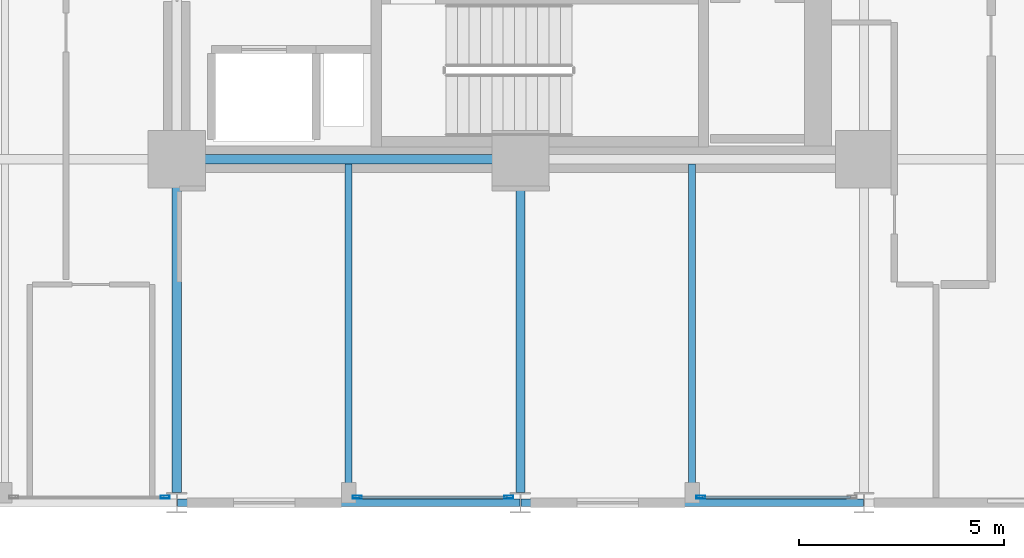
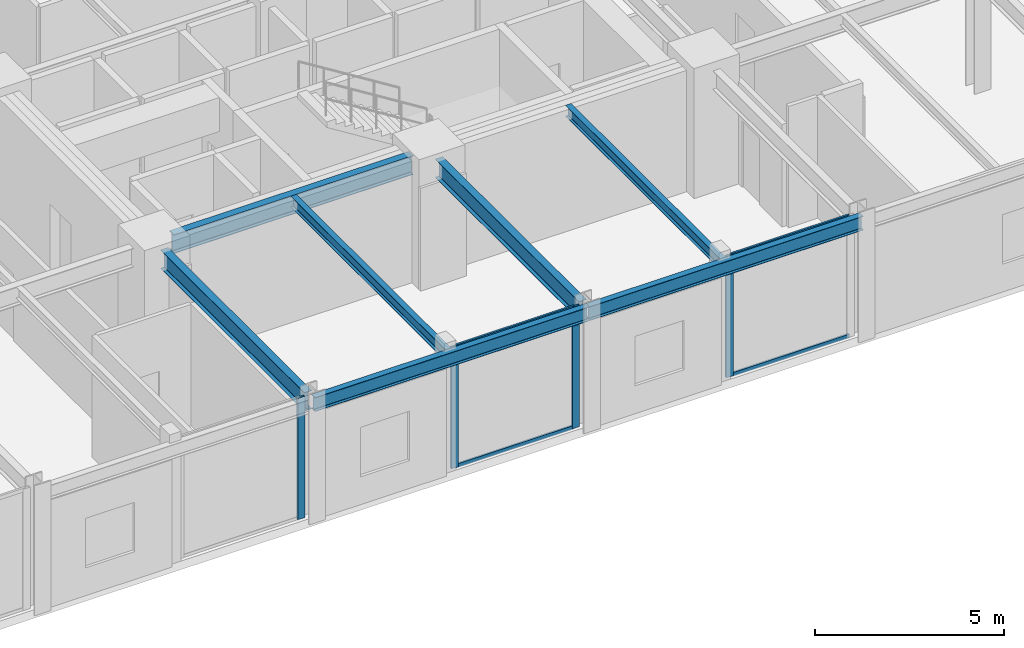
# One storey, part 4 of 24: 8 members, 7 beams, 3 elements without a shape of their own.
"""IFC4 building model written with IfcOpenShell, lengths in metres."""

from ifc_helpers import new_model, si_unit, direction, frame, origin, origin_2d, place, context, subcontext, project, spatial, hollow_rectangle, i_section, extrude, material, layer, layer_set, material_profile, profile_set, type_object, element, aggregate, save


model = new_model("IFC4")

# Units and contexts
model_context = context("Model", 3, precision=1e-05, world=origin(), true_north=direction((0.0, 1.0)))
body_context = subcontext(model_context, "Body", "Model", "MODEL_VIEW")
ifc_project = project(units=[si_unit("LENGTHUNIT", "METRE"), si_unit("AREAUNIT", "SQUARE_METRE"), si_unit("VOLUMEUNIT", "CUBIC_METRE"), si_unit("PLANEANGLEUNIT", "RADIAN"), si_unit("MASSUNIT", "GRAM", prefix="KILO")], contexts=[model_context])

# Site, building, storey
site_placement = place(None, origin())
site = spatial("IfcSite", under=ifc_project, at=site_placement, CompositionType="ELEMENT")
building_placement = place(site_placement, origin())
building = spatial("IfcBuilding", under=site, at=building_placement, Name="Nerrivon Quay Data Exchange", CompositionType="ELEMENT")
storey_placement = place(building_placement, frame((0.0, 0.0, 33.199951171875)))
storey = spatial("IfcBuildingStorey", under=building, at=storey_placement, Name="L07", CompositionType="ELEMENT", Elevation=33.199951171875)

# Beams
ifc_material_1 = material(Name="Steel Grade 350", Category="steel")
ifc_material_profile_1 = material_profile(ifc_material_1, i_section(OverallWidth=0.22900390625, OverallDepth=0.612060546875, WebThickness=0.011962890625, FlangeThickness=0.01953125, FilletRadius=0.013916015625, at=origin_2d()), Name="610UB125")
ifc_profile_set_1 = profile_set([ifc_material_profile_1], Name="Steel Grade 350")
beam_type_1 = type_object("IfcBeamType", Name="BM-G1-610UB125", PredefinedType="BEAM", material=ifc_profile_set_1)
beam_1_placement = place(storey_placement, frame((17.340087890625, 8.39990234375, 3.619140625), z_axis=(1.0, 0.0, 0.0), x_axis=(0.0, 1.0, 0.0)))
element("IfcBeam", 1, at=beam_1_placement, inside=storey, type_object=beam_type_1, Name="L07 EW Girder Y=8.4 (16.8..25.2)", PredefinedType="BEAM", context=body_context, shape_type="SweptSolid", body=[
    extrude(i_section(OverallWidth=0.22900390625, OverallDepth=0.612060546875, WebThickness=0.011962890625, FlangeThickness=0.01953125, FilletRadius=0.013916015625, at=origin_2d()), origin(), (0.0, 0.0, 1.0), 7.31982421875),
])
ifc_material_profile_2 = material_profile(ifc_material_1, i_section(OverallWidth=0.22802734375, OverallDepth=0.60205078125, WebThickness=0.010498046875, FlangeThickness=0.014892578125, FilletRadius=0.013916015625, at=origin_2d()), Name="610UB101")
ifc_profile_set_2 = profile_set([ifc_material_profile_2], Name="Steel Grade 350")
beam_type_2 = type_object("IfcBeamType", Name="BM-G2-610UB101", PredefinedType="BEAM", material=ifc_profile_set_2)
for number, where, z_axis, x_axis, name in (
    (2, (16.800048828125, 0.25, 3.6240234375), (0.0, 1.0, 0.0), (-1.0, 0.0, 0.0), "L07 NS Girder X=16.8 (0.0..8.4)"),
    (3, (25.199951171875, 0.25, 3.6240234375), (0.0, 1.0, 0.0), (-1.0, 0.0, 0.0), "L07 NS Girder X=25.2 (0.0..8.4)"),
):
    element("IfcBeam", number, at=place(storey_placement, frame(where, z_axis=z_axis, x_axis=x_axis)), inside=storey, type_object=beam_type_2, Name=name, PredefinedType="BEAM", context=body_context, shape_type="SweptSolid", body=[
        extrude(i_section(OverallWidth=0.22802734375, OverallDepth=0.60205078125, WebThickness=0.010498046875, FlangeThickness=0.014892578125, FilletRadius=0.013916015625, at=origin_2d()), origin(), (0.0, 0.0, 1.0), 7.610107421875),
    ])
ifc_material_profile_3 = material_profile(ifc_material_1, i_section(OverallWidth=0.172119140625, OverallDepth=0.35888671875, WebThickness=0.008056640625, FlangeThickness=0.012939453125, FilletRadius=0.011474609375, at=origin_2d()), Name="360UB56.7")
ifc_profile_set_3 = profile_set([ifc_material_profile_3], Name="Steel Grade 350")
beam_type_3 = type_object("IfcBeamType", Name="BM-J3-360UB57", PredefinedType="JOIST", material=ifc_profile_set_3)
for number, where, z_axis, x_axis, name in (
    (4, (21.0, 0.094970703125, 3.74560546875), (0.0, 1.0, 0.0), (-1.0, 0.0, 0.0), "L07 Secondary Joist X=21.0 (0.0..8.4)"),
    (5, (29.39990234375, 0.094970703125, 3.74560546875), (0.0, 1.0, 0.0), (-1.0, 0.0, 0.0), "L07 Secondary Joist X=29.4 (0.0..8.4)"),
):
    element("IfcBeam", number, at=place(storey_placement, frame(where, z_axis=z_axis, x_axis=x_axis)), inside=storey, type_object=beam_type_3, Name=name, PredefinedType="JOIST", context=body_context, shape_type="SweptSolid", body=[
        extrude(i_section(OverallWidth=0.172119140625, OverallDepth=0.35888671875, WebThickness=0.008056640625, FlangeThickness=0.012939453125, FilletRadius=0.011474609375, at=origin_2d()), origin(), (0.0, 0.0, 1.0), 8.1904296875),
    ])
ifc_material_profile_4 = material_profile(ifc_material_1, i_section(OverallWidth=0.18994140625, OverallDepth=0.4541015625, WebThickness=0.008544921875, FlangeThickness=0.0126953125, FilletRadius=0.011474609375, at=origin_2d()), Name="460UB67.1")
ifc_profile_set_4 = profile_set([ifc_material_profile_4], Name="Steel Grade 350")
beam_type_4 = type_object("IfcBeamType", Name="BM-SP1-460UB67", PredefinedType="SPANDREL", material=ifc_profile_set_4)
beam_2_placement = place(storey_placement, frame((16.81396484375, 0.0, 3.697998046875), z_axis=(1.0, 0.0, 0.0), x_axis=(0.0, 1.0, 0.0)))
element("IfcBeam", 6, at=beam_2_placement, inside=storey, type_object=beam_type_4, Name="L07 EW Girder Y=0.0 (16.8..25.2)", PredefinedType="SPANDREL", context=body_context, shape_type="SweptSolid", body=[
    extrude(i_section(OverallWidth=0.18994140625, OverallDepth=0.4541015625, WebThickness=0.008544921875, FlangeThickness=0.0126953125, FilletRadius=0.011474609375, at=origin_2d()), origin(), (0.0, 0.0, 1.0), 8.3720703125),
])
beam_3_placement = place(storey_placement, frame((25.214111328125, 0.0, 3.697998046875), z_axis=(1.0, 0.0, 0.0), x_axis=(0.0, 1.0, 0.0)))
element("IfcBeam", 7, at=beam_3_placement, inside=storey, type_object=beam_type_4, Name="L07 EW Girder Y=0.0 (25.2..33.6)", PredefinedType="SPANDREL", context=body_context, shape_type="SweptSolid", body=[
    extrude(i_section(OverallWidth=0.18994140625, OverallDepth=0.4541015625, WebThickness=0.008544921875, FlangeThickness=0.0126953125, FilletRadius=0.011474609375, at=origin_2d()), origin(), (0.0, 0.0, 1.0), 8.371826171875),
])

# Curtain wall, member
ifc_material_2 = material(Name="Anodised aluminium 6063-T6", Category="aluminium")
ifc_layer = layer(ifc_material_2, 0.219970703125)
ifc_layer_set = layer_set([ifc_layer], Name="Anodised aluminium 6063-T6")
curtain_wall_type = type_object("IfcCurtainWallType", Name="CW-SYS-01", PredefinedType="NOTDEFINED", material=ifc_layer_set)
curtain_wall_1_placement = place(storey_placement, origin())
curtain_wall_1 = element("IfcCurtainWall", 8, at=curtain_wall_1_placement, inside=storey, type_object=curtain_wall_type, Name="L07 Unitised Curtain Wall 4", PredefinedType="NOTDEFINED")
ifc_material_profile_5 = material_profile(ifc_material_2, hollow_rectangle(XDim=0.074951171875, YDim=0.219970703125, WallThickness=0.00390625, at=origin_2d()), Name="ALU-MULL-220x75")
ifc_profile_set_5 = profile_set([ifc_material_profile_5], Name="Anodised aluminium 6063-T6")
member_type_1 = type_object("IfcMemberType", Name="CWM-220x75", PredefinedType="MULLION", material=ifc_profile_set_5)
member_1_placement = place(storey_placement, frame((29.612548828125, 0.139892578125, 0.0), z_axis=(0.0, 0.0, 1.0), x_axis=(0.0, -1.0, 0.0)))
member_1 = element("IfcMember", 9, at=member_1_placement, type_object=member_type_1, Name="CW01 mullion 2", PredefinedType="MULLION", context=body_context, shape_type="SweptSolid", body=[
    extrude(hollow_rectangle(XDim=0.074951171875, YDim=0.219970703125, WallThickness=0.00390625, at=origin_2d()), origin(), (0.0, 0.0, 1.0), 3.925048828125),
])

# Curtain wall, members
curtain_wall_2_placement = place(storey_placement, origin())
curtain_wall_2 = element("IfcCurtainWall", 10, at=curtain_wall_2_placement, inside=storey, type_object=curtain_wall_type, Name="L07 Unitised Curtain Wall 6", PredefinedType="NOTDEFINED")
member_2_placement = place(storey_placement, frame((24.91259765625, 0.139892578125, 0.0), z_axis=(0.0, 0.0, 1.0), x_axis=(0.0, -1.0, 0.0)))
member_2 = element("IfcMember", 11, at=member_2_placement, type_object=member_type_1, Name="CW01 mullion 1", PredefinedType="MULLION", context=body_context, shape_type="SweptSolid", body=[
    extrude(hollow_rectangle(XDim=0.074951171875, YDim=0.219970703125, WallThickness=0.00390625, at=origin_2d()), origin(), (0.0, 0.0, 1.0), 3.925048828125),
])
member_3_placement = place(storey_placement, frame((21.21240234375, 0.139892578125, 0.0), z_axis=(0.0, 0.0, 1.0), x_axis=(0.0, -1.0, 0.0)))
member_3 = element("IfcMember", 12, at=member_3_placement, type_object=member_type_1, Name="CW01 mullion 2", PredefinedType="MULLION", context=body_context, shape_type="SweptSolid", body=[
    extrude(hollow_rectangle(XDim=0.074951171875, YDim=0.219970703125, WallThickness=0.00390625, at=origin_2d()), origin(), (0.0, 0.0, 1.0), 3.925048828125),
])

# Curtain wall, member
curtain_wall_3_placement = place(storey_placement, origin())
curtain_wall_3 = element("IfcCurtainWall", 13, at=curtain_wall_3_placement, inside=storey, type_object=curtain_wall_type, Name="L07 Unitised Curtain Wall 8", PredefinedType="NOTDEFINED")
member_4_placement = place(storey_placement, frame((16.512451171875, 0.139892578125, 0.0), z_axis=(0.0, 0.0, 1.0), x_axis=(0.0, -1.0, 0.0)))
member_4 = element("IfcMember", 14, at=member_4_placement, type_object=member_type_1, Name="CW01 mullion 1", PredefinedType="MULLION", context=body_context, shape_type="SweptSolid", body=[
    extrude(hollow_rectangle(XDim=0.074951171875, YDim=0.219970703125, WallThickness=0.00390625, at=origin_2d()), origin(), (0.0, 0.0, 1.0), 3.925048828125),
])
aggregate(curtain_wall_3, [member_4])

# Member
ifc_material_profile_6 = material_profile(ifc_material_2, hollow_rectangle(XDim=0.06005859375, YDim=0.1201171875, WallThickness=0.003173828125, at=origin_2d()), Name="ALU-TRAN-120x60")
ifc_profile_set_6 = profile_set([ifc_material_profile_6], Name="Anodised aluminium 6063-T6")
member_type_2 = type_object("IfcMemberType", Name="CWT-120x60", PredefinedType="USERDEFINED", material=ifc_profile_set_6)
member_5_placement = place(storey_placement, frame((33.27490234375, 0.139892578125, 0.032470703125), z_axis=(-1.0, 0.0, 0.0), x_axis=(0.0, -1.0, 0.0)))
member_5 = element("IfcMember", 15, at=member_5_placement, type_object=member_type_2, Name="CW01 transom 1.1", ObjectType="TRANSOM", PredefinedType="USERDEFINED", context=body_context, shape_type="SweptSolid", body=[
    extrude(hollow_rectangle(XDim=0.06005859375, YDim=0.1201171875, WallThickness=0.003173828125, at=origin_2d()), origin(), (0.0, 0.0, 1.0), 3.625),
])

member_6_placement = place(storey_placement, frame((33.27490234375, 0.139892578125, 3.892578125), z_axis=(-1.0, 0.0, 0.0), x_axis=(0.0, -1.0, 0.0)))
member_6 = element("IfcMember", 16, at=member_6_placement, type_object=member_type_2, Name="CW01 transom 1.2", ObjectType="TRANSOM", PredefinedType="USERDEFINED", context=body_context, shape_type="SweptSolid", body=[
    extrude(hollow_rectangle(XDim=0.06005859375, YDim=0.1201171875, WallThickness=0.003173828125, at=origin_2d()), origin(), (0.0, 0.0, 1.0), 3.625),
])

aggregate(curtain_wall_1, [member_1, member_5, member_6])

member_7_placement = place(storey_placement, frame((24.875, 0.139892578125, 0.032470703125), z_axis=(-1.0, 0.0, 0.0), x_axis=(0.0, -1.0, 0.0)))
member_7 = element("IfcMember", 17, at=member_7_placement, type_object=member_type_2, Name="CW01 transom 1.1", ObjectType="TRANSOM", PredefinedType="USERDEFINED", context=body_context, shape_type="SweptSolid", body=[
    extrude(hollow_rectangle(XDim=0.06005859375, YDim=0.1201171875, WallThickness=0.003173828125, at=origin_2d()), origin(), (0.0, 0.0, 1.0), 3.625),
])

member_8_placement = place(storey_placement, frame((24.875, 0.139892578125, 3.892578125), z_axis=(-1.0, 0.0, 0.0), x_axis=(0.0, -1.0, 0.0)))
member_8 = element("IfcMember", 18, at=member_8_placement, type_object=member_type_2, Name="CW01 transom 1.2", ObjectType="TRANSOM", PredefinedType="USERDEFINED", context=body_context, shape_type="SweptSolid", body=[
    extrude(hollow_rectangle(XDim=0.06005859375, YDim=0.1201171875, WallThickness=0.003173828125, at=origin_2d()), origin(), (0.0, 0.0, 1.0), 3.625),
])

aggregate(curtain_wall_2, [member_2, member_3, member_7, member_8])

save(model, "model.ifc")
